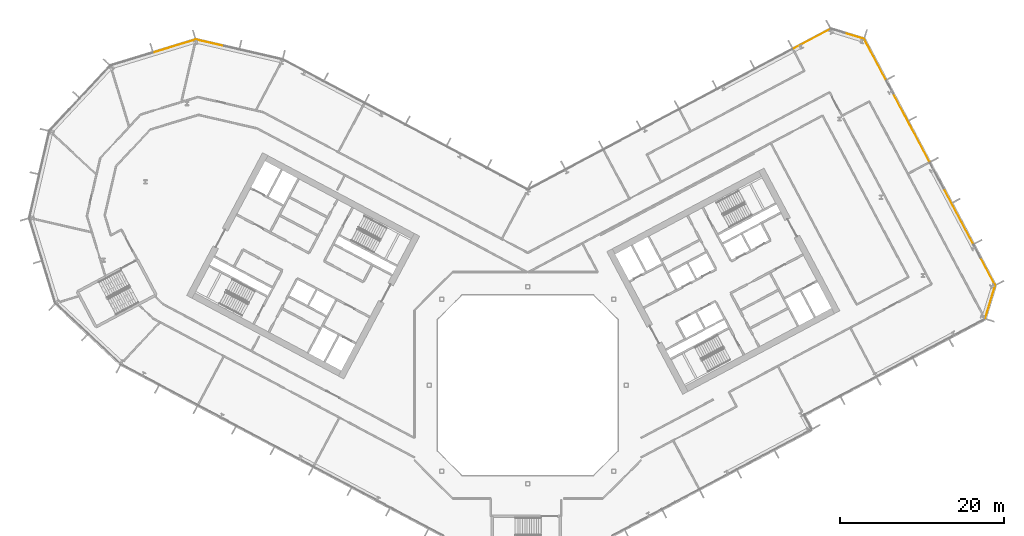
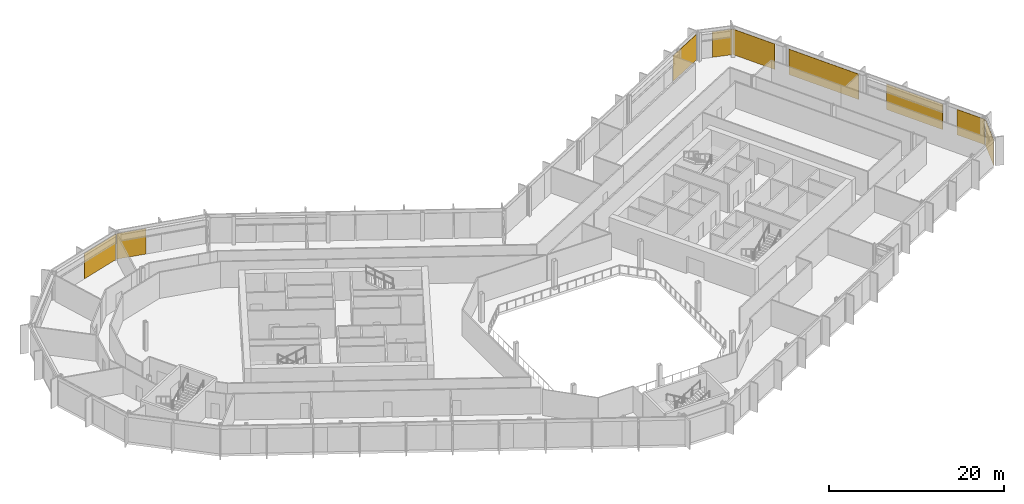
# One storey, part 28 of 28: 9 coverings, 6 elements without a shape of their own.
"""IFC4 building model written with IfcOpenShell, lengths in metres."""

from ifc_helpers import new_model, si_unit, direction, frame, origin, origin_2d, place, context, subcontext, project, spatial, rectangle, extrude, material, layer, layer_set, type_object, element, aggregate, save


model = new_model("IFC4")

# Units and contexts
model_context = context("Model", 3, precision=1e-05, world=origin(), true_north=direction((0.0, 1.0)))
body_context = subcontext(model_context, "Body", "Model", "MODEL_VIEW")
ifc_project = project(units=[si_unit("LENGTHUNIT", "METRE"), si_unit("AREAUNIT", "SQUARE_METRE"), si_unit("VOLUMEUNIT", "CUBIC_METRE"), si_unit("PLANEANGLEUNIT", "RADIAN"), si_unit("MASSUNIT", "GRAM", prefix="KILO")], contexts=[model_context])

# Site, building, storey
site_placement = place(None, origin())
site = spatial("IfcSite", under=ifc_project, at=site_placement, CompositionType="ELEMENT")
building_placement = place(site_placement, origin())
building = spatial("IfcBuilding", under=site, at=building_placement, Name="Cormorant Relay Tower", CompositionType="ELEMENT")
storey_placement = place(building_placement, frame((0.0, 0.0, 134.199951171875)))
storey = spatial("IfcBuildingStorey", under=building, at=storey_placement, Name="L27", CompositionType="ELEMENT", Elevation=134.199951171875)

# Curtain wall, covering
ifc_material_1 = material(Name="Aluminium 6063-T6 anodised bronze", Category="aluminium")
ifc_layer_1 = layer(ifc_material_1, 0.199951171875)
ifc_layer_set_1 = layer_set([ifc_layer_1], Name="CW1 unitised bronze curtain wall with vertical fins")
curtain_wall_type = type_object("IfcCurtainWallType", Name="CW1 unitised bronze curtain wall with vertical fins", PredefinedType="NOTDEFINED", material=ifc_layer_set_1)
curtain_wall_1_placement = place(storey_placement, origin())
curtain_wall_1 = element("IfcCurtainWall", 1, at=curtain_wall_1_placement, inside=storey, type_object=curtain_wall_type, Name="CW1 curtain wall 5", PredefinedType="NOTDEFINED")
ifc_material_2 = material(Name="Pale bronze anodised aluminium insulated panel", Category="aluminium")
ifc_layer_2 = layer(ifc_material_2, 0.0400390625)
ifc_layer_set_2 = layer_set([ifc_layer_2], Name="CW1 pale bronze insulated panel 40")
covering_type = type_object("IfcCoveringType", Name="CW1 pale bronze insulated panel 40", PredefinedType="CLADDING", material=ifc_layer_set_2)
covering_1_placement = place(storey_placement, frame((56.366455078125, 10.16455078125, 0.0), z_axis=(0.0, 0.0, 1.0), x_axis=(0.292371704723, 0.956304755963, 0.0)))
covering_1 = element("IfcCovering", 2, at=covering_1_placement, type_object=covering_type, Name="CW1 panel S00", PredefinedType="CLADDING", context=body_context, shape_type="SweptSolid", body=[
    extrude(rectangle(XDim=4.16748046875, YDim=0.0400390625, at=origin_2d()), origin(), (0.0, 0.0, 1.0), 3.550048828125),
])
aggregate(curtain_wall_1, [covering_1])

# Curtain wall, coverings
curtain_wall_2_placement = place(storey_placement, origin())
curtain_wall_2 = element("IfcCurtainWall", 3, at=curtain_wall_2_placement, inside=storey, type_object=curtain_wall_type, Name="CW1 curtain wall 6", PredefinedType="NOTDEFINED")
covering_2_placement = place(storey_placement, frame((56.066650390625, 13.879638671875, 0.0), z_axis=(0.0, 0.0, 1.0), x_axis=(-0.469471562786, 0.882947592859, 0.0)))
covering_2 = element("IfcCovering", 4, at=covering_2_placement, type_object=covering_type, Name="CW1 panel S00", PredefinedType="CLADDING", context=body_context, shape_type="SweptSolid", body=[
    extrude(rectangle(XDim=3.716796875, YDim=0.0400390625, at=origin_2d()), origin(), (0.0, 0.0, 1.0), 3.550048828125),
])
covering_3_placement = place(storey_placement, frame((52.49853515625, 20.590087890625, 0.0), z_axis=(0.0, 0.0, 1.0), x_axis=(-0.469471562786, 0.882947592859, 0.0)))
covering_3 = element("IfcCovering", 5, at=covering_3_placement, type_object=covering_type, Name="CW1 panel S02", PredefinedType="CLADDING", context=body_context, shape_type="SweptSolid", body=[
    extrude(rectangle(XDim=7.583251953125, YDim=0.0400390625, at=origin_2d()), origin(), (0.0, 0.0, 1.0), 3.550048828125),
])
covering_4_placement = place(storey_placement, frame((46.75537109375, 31.3916015625, 0.0), z_axis=(0.0, 0.0, 1.0), x_axis=(-0.469471562786, 0.882947592859, 0.0)))
covering_4 = element("IfcCovering", 6, at=covering_4_placement, type_object=covering_type, Name="CW1 panel S04", PredefinedType="CLADDING", context=body_context, shape_type="SweptSolid", body=[
    extrude(rectangle(XDim=9.38330078125, YDim=0.0400390625, at=origin_2d()), origin(), (0.0, 0.0, 1.0), 3.550048828125),
])
covering_5_placement = place(storey_placement, frame((42.32470703125, 39.724365234375, 0.0), z_axis=(0.0, 0.0, 1.0), x_axis=(-0.469471562786, 0.882947592859, 0.0)))
covering_5 = element("IfcCovering", 7, at=covering_5_placement, type_object=covering_type, Name="CW1 panel S06", PredefinedType="CLADDING", context=body_context, shape_type="SweptSolid", body=[
    extrude(rectangle(XDim=5.591796875, YDim=0.0400390625, at=origin_2d()), origin(), (0.0, 0.0, 1.0), 3.550048828125),
])
aggregate(curtain_wall_2, [covering_2, covering_3, covering_4, covering_5])

# Curtain wall, covering
curtain_wall_3_placement = place(storey_placement, origin())
curtain_wall_3 = element("IfcCurtainWall", 8, at=curtain_wall_3_placement, inside=storey, type_object=curtain_wall_type, Name="CW1 curtain wall 7", PredefinedType="NOTDEFINED")
covering_6_placement = place(storey_placement, frame((39.796630859375, 42.570556640625, 0.0), z_axis=(0.0, 0.0, 1.0), x_axis=(-0.956304755963, 0.292371704723, 0.0)))
covering_6 = element("IfcCovering", 9, at=covering_6_placement, type_object=covering_type, Name="CW1 panel S00", PredefinedType="CLADDING", context=body_context, shape_type="SweptSolid", body=[
    extrude(rectangle(XDim=2.36767578125, YDim=0.0400390625, at=origin_2d()), origin(), (0.0, 0.0, 1.0), 3.550048828125),
])
aggregate(curtain_wall_3, [covering_6])

curtain_wall_4_placement = place(storey_placement, origin())
curtain_wall_4 = element("IfcCurtainWall", 10, at=curtain_wall_4_placement, inside=storey, type_object=curtain_wall_type, Name="CW1 curtain wall 8", PredefinedType="NOTDEFINED")
covering_7_placement = place(storey_placement, frame((34.619384765625, 42.214111328125, 0.0), z_axis=(0.0, 0.0, 1.0), x_axis=(-0.882947592859, -0.469471562786, 0.0)))
covering_7 = element("IfcCovering", 11, at=covering_7_placement, type_object=covering_type, Name="CW1 panel S00", PredefinedType="CLADDING", context=body_context, shape_type="SweptSolid", body=[
    extrude(rectangle(XDim=5.079345703125, YDim=0.0400390625, at=origin_2d()), origin(), (0.0, 0.0, 1.0), 3.550048828125),
])
aggregate(curtain_wall_4, [covering_7])

curtain_wall_5_placement = place(storey_placement, origin())
curtain_wall_5 = element("IfcCurtainWall", 12, at=curtain_wall_5_placement, inside=storey, type_object=curtain_wall_type, Name="CW1 curtain wall 10", PredefinedType="NOTDEFINED")
covering_8_placement = place(storey_placement, frame((-38.7265625, 41.732421875, 0.0), z_axis=(0.0, 0.0, 1.0), x_axis=(-0.974370064785, 0.224951054344, 0.0)))
covering_8 = element("IfcCovering", 13, at=covering_8_placement, type_object=covering_type, Name="CW1 panel S02", PredefinedType="CLADDING", context=body_context, shape_type="SweptSolid", body=[
    extrude(rectangle(XDim=3.560302734375, YDim=0.0400390625, at=origin_2d()), origin(), (0.0, 0.0, 1.0), 3.550048828125),
])
aggregate(curtain_wall_5, [covering_8])

curtain_wall_6_placement = place(storey_placement, origin())
curtain_wall_6 = element("IfcCurtainWall", 14, at=curtain_wall_6_placement, inside=storey, type_object=curtain_wall_type, Name="CW1 curtain wall 11", PredefinedType="NOTDEFINED")
covering_9_placement = place(storey_placement, frame((-43.0703125, 41.337890625, 0.0), z_axis=(0.0, 0.0, 1.0), x_axis=(-0.956304755963, -0.292371704723, 0.0)))
covering_9 = element("IfcCovering", 15, at=covering_9_placement, type_object=covering_type, Name="CW1 panel S00", PredefinedType="CLADDING", context=body_context, shape_type="SweptSolid", body=[
    extrude(rectangle(XDim=5.28515625, YDim=0.0400390625, at=origin_2d()), origin(), (0.0, 0.0, 1.0), 3.550048828125),
])
aggregate(curtain_wall_6, [covering_9])

save(model, "model.ifc")
